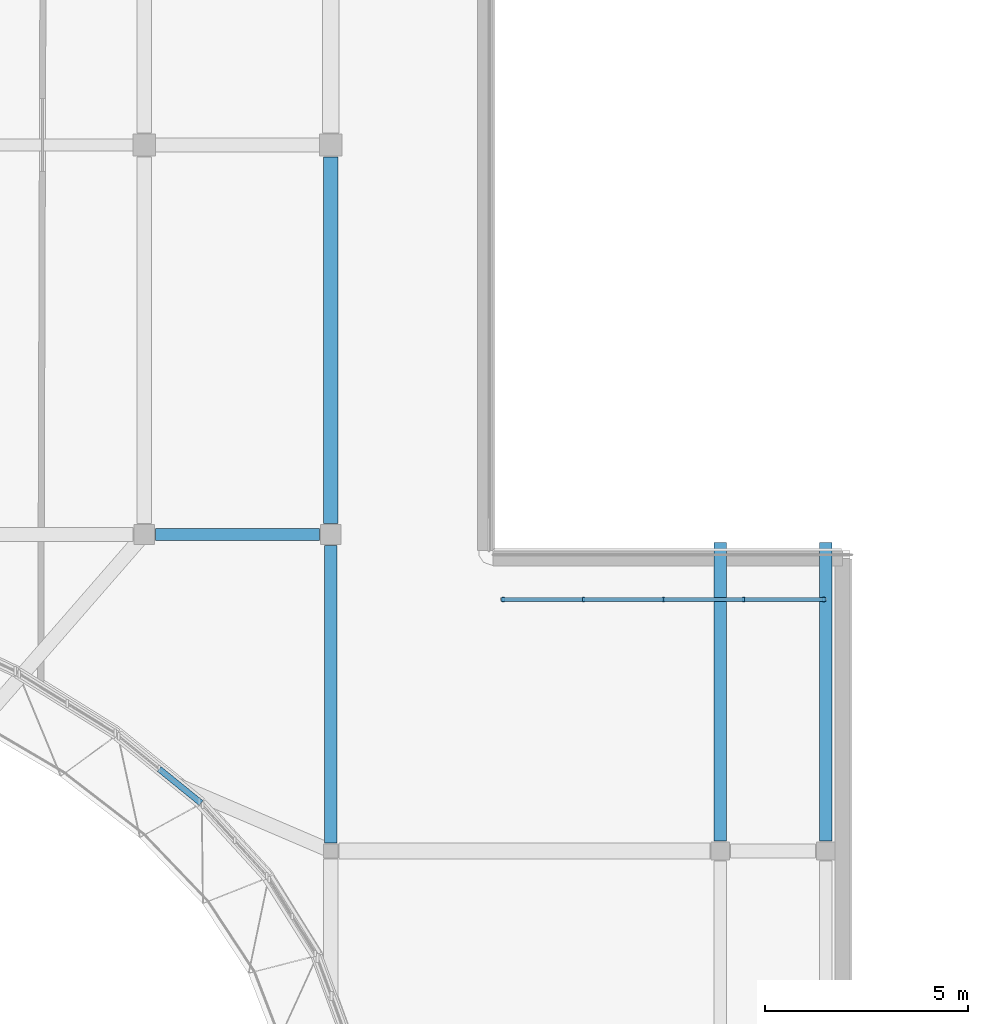
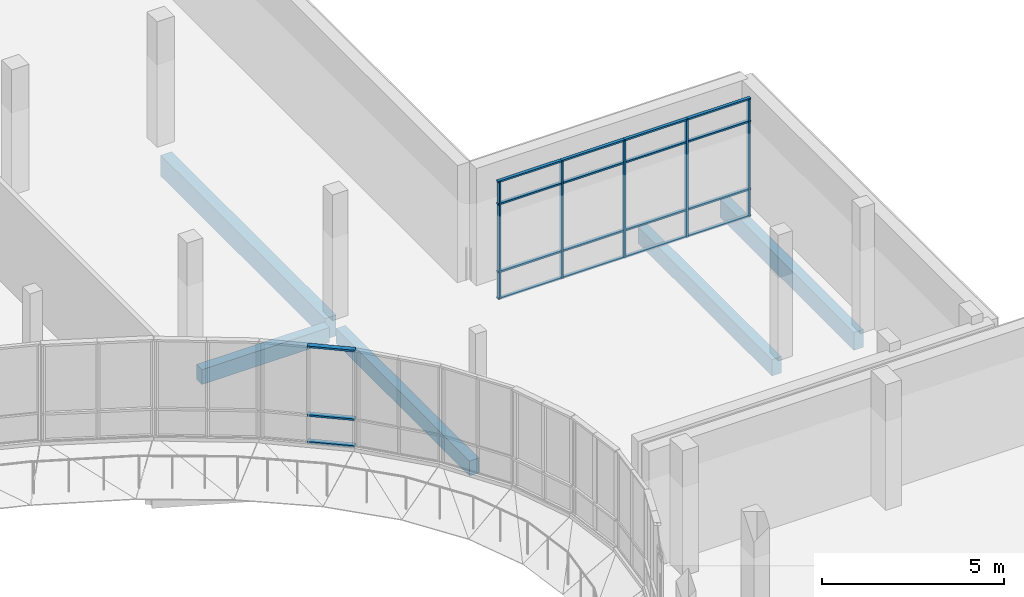
# One storey, part 27 of 84: 24 members, 5 beams, 2 elements without a shape of their own.
"""IFC4 building model written with IfcOpenShell, lengths in metres."""

from ifc_helpers import new_model, si_unit, direction, frame, origin, origin_2d, place, context, subcontext, project, spatial, rectangle, extrude, material, material_profile, profile_set, type_object, element, aggregate, save


model = new_model("IFC4")

# Units and contexts
model_context = context("Model", 3, precision=1e-05, world=origin(), true_north=direction((0.0, 1.0)))
body_context = subcontext(model_context, "Body", "Model", "MODEL_VIEW")
ifc_project = project(units=[si_unit("LENGTHUNIT", "METRE"), si_unit("AREAUNIT", "SQUARE_METRE"), si_unit("VOLUMEUNIT", "CUBIC_METRE"), si_unit("PLANEANGLEUNIT", "RADIAN"), si_unit("MASSUNIT", "GRAM", prefix="KILO")], contexts=[model_context])

# Site, building, storey
site_placement = place(None, origin())
site = spatial("IfcSite", under=ifc_project, at=site_placement, CompositionType="ELEMENT")
building_placement = place(site_placement, origin())
building = spatial("IfcBuilding", under=site, at=building_placement, Name="Mzevani Central Library", CompositionType="ELEMENT")
storey_placement = place(building_placement, frame((0.0, 0.0, 5.39990234375)))
storey = spatial("IfcBuildingStorey", under=building, at=storey_placement, Name="L01", CompositionType="ELEMENT", Elevation=5.39990234375)

# Beams
ifc_material_1 = material(Name="Concrete C35/45", Category="concrete")
ifc_material_profile_1 = material_profile(ifc_material_1, rectangle(XDim=0.300048828125, YDim=0.5, at=origin_2d()), Name="RC B300x500")
ifc_profile_set_1 = profile_set([ifc_material_profile_1], Name="Concrete C35/45")
beam_type_1 = type_object("IfcBeamType", Name="Beam RC 300x500", PredefinedType="BEAM", material=ifc_profile_set_1)
beam_1_placement = place(storey_placement, frame((107.675048828125, 90.39990234375, -0.52978515625), z_axis=(1.0, 0.0, 0.0), x_axis=(0.0, 1.0, 0.0)))
element("IfcBeam", 1, at=beam_1_placement, inside=storey, type_object=beam_type_1, Name="L01 V3 Girder B-01 (460)", PredefinedType="BEAM", context=body_context, shape_type="SweptSolid", body=[
    extrude(rectangle(XDim=0.300048828125, YDim=0.5, at=origin_2d()), origin(), (0.0, 0.0, 1.0), 4.050048828125),
])
beam_2_placement = place(storey_placement, frame((112.0, 82.800048828125, -0.52978515625), z_axis=(0.0, 1.0, 0.0), x_axis=(-1.0, 0.0, 0.0)))
element("IfcBeam", 2, at=beam_2_placement, inside=storey, type_object=beam_type_1, Name="L01 V3 Frame Beam B-01 (520)", PredefinedType="BEAM", context=body_context, shape_type="SweptSolid", body=[
    extrude(rectangle(XDim=0.300048828125, YDim=0.5, at=origin_2d()), origin(), (0.0, 0.0, 1.0), 7.324951171875),
])
ifc_material_profile_2 = material_profile(ifc_material_1, rectangle(XDim=0.300048828125, YDim=0.550048828125, at=origin_2d()), Name="RC B300x550")
ifc_profile_set_2 = profile_set([ifc_material_profile_2], Name="Concrete C35/45")
beam_type_2 = type_object("IfcBeamType", Name="Beam RC 300x550", PredefinedType="BEAM", material=ifc_profile_set_2)
beam_3_placement = place(storey_placement, frame((121.60009765625, 82.85009765625, -0.554931640625), z_axis=(0.0, 1.0, 0.0), x_axis=(-1.0, 0.0, 0.0)))
element("IfcBeam", 3, at=beam_3_placement, inside=storey, type_object=beam_type_2, Name="L01 V3 Frame Beam B-02 (525)", PredefinedType="BEAM", context=body_context, shape_type="SweptSolid", body=[
    extrude(rectangle(XDim=0.300048828125, YDim=0.550048828125, at=origin_2d()), origin(), (0.0, 0.0, 1.0), 7.349853515625),
])
ifc_material_profile_3 = material_profile(ifc_material_1, rectangle(XDim=0.300048828125, YDim=0.60009765625, at=origin_2d()), Name="RC B300x600")
ifc_profile_set_3 = profile_set([ifc_material_profile_3], Name="Concrete C35/45")
beam_type_3 = type_object("IfcBeamType", Name="Beam RC 300x600", PredefinedType="BEAM", material=ifc_profile_set_3)
beam_4_placement = place(storey_placement, frame((124.199951171875, 82.85009765625, -0.579833984375), z_axis=(0.0, 1.0, 0.0), x_axis=(-1.0, 0.0, 0.0)))
element("IfcBeam", 4, at=beam_4_placement, inside=storey, type_object=beam_type_3, Name="L01 V3 Frame Beam B-03 (530)", PredefinedType="BEAM", context=body_context, shape_type="SweptSolid", body=[
    extrude(rectangle(XDim=0.300048828125, YDim=0.60009765625, at=origin_2d()), origin(), (0.0, 0.0, 1.0), 7.349853515625),
])
ifc_material_profile_4 = material_profile(ifc_material_1, rectangle(XDim=0.35009765625, YDim=0.699951171875, at=origin_2d()), Name="RC B350x700")
ifc_profile_set_4 = profile_set([ifc_material_profile_4], Name="Concrete C35/45")
beam_type_4 = type_object("IfcBeamType", Name="Beam RC 350x700", PredefinedType="BEAM", material=ifc_profile_set_4)
beam_5_placement = place(storey_placement, frame((112.0, 90.675048828125, -0.6298828125), z_axis=(0.0, 1.0, 0.0), x_axis=(-1.0, 0.0, 0.0)))
element("IfcBeam", 5, at=beam_5_placement, inside=storey, type_object=beam_type_4, Name="L01 V3 Frame Beam B-06 (521)", PredefinedType="BEAM", context=body_context, shape_type="SweptSolid", body=[
    extrude(rectangle(XDim=0.35009765625, YDim=0.699951171875, at=origin_2d()), origin(), (0.0, 0.0, 1.0), 9.02490234375),
])

# Curtain wall, members
ifc_material_2 = material(Name="Thermally broken aluminium and Low-E triple glazing", Category="aluminium")
curtain_wall_type_1 = type_object("IfcCurtainWallType", Name="Interior Atrium Acoustic Glazed Screen", PredefinedType="NOTDEFINED", material=ifc_material_2)
curtain_wall_1_placement = place(storey_placement, origin())
curtain_wall_1 = element("IfcCurtainWall", 6, at=curtain_wall_1_placement, inside=storey, type_object=curtain_wall_type_1, Name="L01 Atrium Acoustic Overlook Screen 5", PredefinedType="NOTDEFINED")
ifc_material_3 = material(Name="Thermally broken aluminium AW-6060", Category="aluminium")
ifc_material_profile_5 = material_profile(ifc_material_3, rectangle(XDim=0.054931640625, YDim=0.1298828125, at=origin_2d()), Name="ALU M55x130")
ifc_profile_set_5 = profile_set([ifc_material_profile_5], Name="Thermally broken aluminium AW-6060")
member_type_1 = type_object("IfcMemberType", Name="CW Interior Mullion 55x130", PredefinedType="MULLION", material=ifc_profile_set_5)
member_1_placement = place(storey_placement, frame((116.25, 88.800048828125, 0.0), z_axis=(0.0, 0.0, 1.0), x_axis=(1.0, 0.0, 0.0)))
member_1 = element("IfcMember", 7, at=member_1_placement, type_object=member_type_1, Name="L01 Atrium Acoustic Overlook Screen 5 Mullion 1", PredefinedType="MULLION", context=body_context, shape_type="SweptSolid", body=[
    extrude(rectangle(XDim=0.054931640625, YDim=0.1298828125, at=origin_2d()), origin(), (0.0, 0.0, 1.0), 3.920166015625),
])
member_2_placement = place(storey_placement, frame((118.22509765625, 88.800048828125, 0.0), z_axis=(0.0, 0.0, 1.0), x_axis=(1.0, 0.0, 0.0)))
member_2 = element("IfcMember", 8, at=member_2_placement, type_object=member_type_1, Name="L01 Atrium Acoustic Overlook Screen 5 Mullion 2", PredefinedType="MULLION", context=body_context, shape_type="SweptSolid", body=[
    extrude(rectangle(XDim=0.054931640625, YDim=0.1298828125, at=origin_2d()), origin(), (0.0, 0.0, 1.0), 3.920166015625),
])
member_3_placement = place(storey_placement, frame((120.199951171875, 88.800048828125, 0.0), z_axis=(0.0, 0.0, 1.0), x_axis=(1.0, 0.0, 0.0)))
member_3 = element("IfcMember", 9, at=member_3_placement, type_object=member_type_1, Name="L01 Atrium Acoustic Overlook Screen 5 Mullion 3", PredefinedType="MULLION", context=body_context, shape_type="SweptSolid", body=[
    extrude(rectangle(XDim=0.054931640625, YDim=0.1298828125, at=origin_2d()), origin(), (0.0, 0.0, 1.0), 3.920166015625),
])
member_4_placement = place(storey_placement, frame((122.175048828125, 88.800048828125, 0.0), z_axis=(0.0, 0.0, 1.0), x_axis=(1.0, 0.0, 0.0)))
member_4 = element("IfcMember", 10, at=member_4_placement, type_object=member_type_1, Name="L01 Atrium Acoustic Overlook Screen 5 Mullion 4", PredefinedType="MULLION", context=body_context, shape_type="SweptSolid", body=[
    extrude(rectangle(XDim=0.054931640625, YDim=0.1298828125, at=origin_2d()), origin(), (0.0, 0.0, 1.0), 3.920166015625),
])
member_5_placement = place(storey_placement, frame((124.14990234375, 88.800048828125, 0.0), z_axis=(0.0, 0.0, 1.0), x_axis=(1.0, 0.0, 0.0)))
member_5 = element("IfcMember", 11, at=member_5_placement, type_object=member_type_1, Name="L01 Atrium Acoustic Overlook Screen 5 Mullion 5", PredefinedType="MULLION", context=body_context, shape_type="SweptSolid", body=[
    extrude(rectangle(XDim=0.054931640625, YDim=0.1298828125, at=origin_2d()), origin(), (0.0, 0.0, 1.0), 3.920166015625),
])
ifc_material_profile_6 = material_profile(ifc_material_3, rectangle(XDim=0.10009765625, YDim=0.054931640625, at=origin_2d()), Name="ALU T55x100")
ifc_profile_set_6 = profile_set([ifc_material_profile_6], Name="Thermally broken aluminium AW-6060")
member_type_2 = type_object("IfcMemberType", Name="CW Interior Transom 55x100", PredefinedType="USERDEFINED", material=ifc_profile_set_6)
member_6_placement = place(storey_placement, frame((116.199951171875, 88.800048828125, 0.0), z_axis=(1.0, 0.0, 0.0), x_axis=(0.0, 1.0, 0.0)))
member_6 = element("IfcMember", 12, at=member_6_placement, type_object=member_type_2, Name="L01 Atrium Acoustic Overlook Screen 5 Transom 1", ObjectType="TRANSOM", PredefinedType="USERDEFINED", context=body_context, shape_type="SweptSolid", body=[
    extrude(rectangle(XDim=0.10009765625, YDim=0.054931640625, at=origin_2d()), origin(), (0.0, 0.0, 1.0), 2.0),
])
member_7_placement = place(storey_placement, frame((116.199951171875, 88.800048828125, 0.900146484375), z_axis=(1.0, 0.0, 0.0), x_axis=(0.0, 1.0, 0.0)))
member_7 = element("IfcMember", 13, at=member_7_placement, type_object=member_type_2, Name="L01 Atrium Acoustic Overlook Screen 5 Transom 2", ObjectType="TRANSOM", PredefinedType="USERDEFINED", context=body_context, shape_type="SweptSolid", body=[
    extrude(rectangle(XDim=0.10009765625, YDim=0.054931640625, at=origin_2d()), origin(), (0.0, 0.0, 1.0), 2.0),
])
member_8_placement = place(storey_placement, frame((116.199951171875, 88.800048828125, 3.170166015625), z_axis=(1.0, 0.0, 0.0), x_axis=(0.0, 1.0, 0.0)))
member_8 = element("IfcMember", 14, at=member_8_placement, type_object=member_type_2, Name="L01 Atrium Acoustic Overlook Screen 5 Transom 3", ObjectType="TRANSOM", PredefinedType="USERDEFINED", context=body_context, shape_type="SweptSolid", body=[
    extrude(rectangle(XDim=0.10009765625, YDim=0.054931640625, at=origin_2d()), origin(), (0.0, 0.0, 1.0), 2.0),
])
member_9_placement = place(storey_placement, frame((116.199951171875, 88.800048828125, 3.920166015625), z_axis=(1.0, 0.0, 0.0), x_axis=(0.0, 1.0, 0.0)))
member_9 = element("IfcMember", 15, at=member_9_placement, type_object=member_type_2, Name="L01 Atrium Acoustic Overlook Screen 5 Transom 4", ObjectType="TRANSOM", PredefinedType="USERDEFINED", context=body_context, shape_type="SweptSolid", body=[
    extrude(rectangle(XDim=0.10009765625, YDim=0.054931640625, at=origin_2d()), origin(), (0.0, 0.0, 1.0), 2.0),
])
member_10_placement = place(storey_placement, frame((118.199951171875, 88.800048828125, 0.0), z_axis=(1.0, 0.0, 0.0), x_axis=(0.0, 1.0, 0.0)))
member_10 = element("IfcMember", 16, at=member_10_placement, type_object=member_type_2, Name="L01 Atrium Acoustic Overlook Screen 5 Transom 5", ObjectType="TRANSOM", PredefinedType="USERDEFINED", context=body_context, shape_type="SweptSolid", body=[
    extrude(rectangle(XDim=0.10009765625, YDim=0.054931640625, at=origin_2d()), origin(), (0.0, 0.0, 1.0), 2.0),
])
member_11_placement = place(storey_placement, frame((118.199951171875, 88.800048828125, 0.900146484375), z_axis=(1.0, 0.0, 0.0), x_axis=(0.0, 1.0, 0.0)))
member_11 = element("IfcMember", 17, at=member_11_placement, type_object=member_type_2, Name="L01 Atrium Acoustic Overlook Screen 5 Transom 6", ObjectType="TRANSOM", PredefinedType="USERDEFINED", context=body_context, shape_type="SweptSolid", body=[
    extrude(rectangle(XDim=0.10009765625, YDim=0.054931640625, at=origin_2d()), origin(), (0.0, 0.0, 1.0), 2.0),
])
member_12_placement = place(storey_placement, frame((118.199951171875, 88.800048828125, 3.170166015625), z_axis=(1.0, 0.0, 0.0), x_axis=(0.0, 1.0, 0.0)))
member_12 = element("IfcMember", 18, at=member_12_placement, type_object=member_type_2, Name="L01 Atrium Acoustic Overlook Screen 5 Transom 7", ObjectType="TRANSOM", PredefinedType="USERDEFINED", context=body_context, shape_type="SweptSolid", body=[
    extrude(rectangle(XDim=0.10009765625, YDim=0.054931640625, at=origin_2d()), origin(), (0.0, 0.0, 1.0), 2.0),
])
member_13_placement = place(storey_placement, frame((118.199951171875, 88.800048828125, 3.920166015625), z_axis=(1.0, 0.0, 0.0), x_axis=(0.0, 1.0, 0.0)))
member_13 = element("IfcMember", 19, at=member_13_placement, type_object=member_type_2, Name="L01 Atrium Acoustic Overlook Screen 5 Transom 8", ObjectType="TRANSOM", PredefinedType="USERDEFINED", context=body_context, shape_type="SweptSolid", body=[
    extrude(rectangle(XDim=0.10009765625, YDim=0.054931640625, at=origin_2d()), origin(), (0.0, 0.0, 1.0), 2.0),
])
member_14_placement = place(storey_placement, frame((120.199951171875, 88.800048828125, 0.0), z_axis=(1.0, 0.0, 0.0), x_axis=(0.0, 1.0, 0.0)))
member_14 = element("IfcMember", 20, at=member_14_placement, type_object=member_type_2, Name="L01 Atrium Acoustic Overlook Screen 5 Transom 9", ObjectType="TRANSOM", PredefinedType="USERDEFINED", context=body_context, shape_type="SweptSolid", body=[
    extrude(rectangle(XDim=0.10009765625, YDim=0.054931640625, at=origin_2d()), origin(), (0.0, 0.0, 1.0), 2.0),
])
member_15_placement = place(storey_placement, frame((120.199951171875, 88.800048828125, 0.900146484375), z_axis=(1.0, 0.0, 0.0), x_axis=(0.0, 1.0, 0.0)))
member_15 = element("IfcMember", 21, at=member_15_placement, type_object=member_type_2, Name="L01 Atrium Acoustic Overlook Screen 5 Transom 10", ObjectType="TRANSOM", PredefinedType="USERDEFINED", context=body_context, shape_type="SweptSolid", body=[
    extrude(rectangle(XDim=0.10009765625, YDim=0.054931640625, at=origin_2d()), origin(), (0.0, 0.0, 1.0), 2.0),
])
member_16_placement = place(storey_placement, frame((120.199951171875, 88.800048828125, 3.170166015625), z_axis=(1.0, 0.0, 0.0), x_axis=(0.0, 1.0, 0.0)))
member_16 = element("IfcMember", 22, at=member_16_placement, type_object=member_type_2, Name="L01 Atrium Acoustic Overlook Screen 5 Transom 11", ObjectType="TRANSOM", PredefinedType="USERDEFINED", context=body_context, shape_type="SweptSolid", body=[
    extrude(rectangle(XDim=0.10009765625, YDim=0.054931640625, at=origin_2d()), origin(), (0.0, 0.0, 1.0), 2.0),
])
member_17_placement = place(storey_placement, frame((120.199951171875, 88.800048828125, 3.920166015625), z_axis=(1.0, 0.0, 0.0), x_axis=(0.0, 1.0, 0.0)))
member_17 = element("IfcMember", 23, at=member_17_placement, type_object=member_type_2, Name="L01 Atrium Acoustic Overlook Screen 5 Transom 12", ObjectType="TRANSOM", PredefinedType="USERDEFINED", context=body_context, shape_type="SweptSolid", body=[
    extrude(rectangle(XDim=0.10009765625, YDim=0.054931640625, at=origin_2d()), origin(), (0.0, 0.0, 1.0), 2.0),
])
member_18_placement = place(storey_placement, frame((122.199951171875, 88.800048828125, 0.0), z_axis=(1.0, 0.0, 0.0), x_axis=(0.0, 1.0, 0.0)))
member_18 = element("IfcMember", 24, at=member_18_placement, type_object=member_type_2, Name="L01 Atrium Acoustic Overlook Screen 5 Transom 13", ObjectType="TRANSOM", PredefinedType="USERDEFINED", context=body_context, shape_type="SweptSolid", body=[
    extrude(rectangle(XDim=0.10009765625, YDim=0.054931640625, at=origin_2d()), origin(), (0.0, 0.0, 1.0), 2.0),
])
member_19_placement = place(storey_placement, frame((122.199951171875, 88.800048828125, 0.900146484375), z_axis=(1.0, 0.0, 0.0), x_axis=(0.0, 1.0, 0.0)))
member_19 = element("IfcMember", 25, at=member_19_placement, type_object=member_type_2, Name="L01 Atrium Acoustic Overlook Screen 5 Transom 14", ObjectType="TRANSOM", PredefinedType="USERDEFINED", context=body_context, shape_type="SweptSolid", body=[
    extrude(rectangle(XDim=0.10009765625, YDim=0.054931640625, at=origin_2d()), origin(), (0.0, 0.0, 1.0), 2.0),
])
member_20_placement = place(storey_placement, frame((122.199951171875, 88.800048828125, 3.170166015625), z_axis=(1.0, 0.0, 0.0), x_axis=(0.0, 1.0, 0.0)))
member_20 = element("IfcMember", 26, at=member_20_placement, type_object=member_type_2, Name="L01 Atrium Acoustic Overlook Screen 5 Transom 15", ObjectType="TRANSOM", PredefinedType="USERDEFINED", context=body_context, shape_type="SweptSolid", body=[
    extrude(rectangle(XDim=0.10009765625, YDim=0.054931640625, at=origin_2d()), origin(), (0.0, 0.0, 1.0), 2.0),
])
member_21_placement = place(storey_placement, frame((122.199951171875, 88.800048828125, 3.920166015625), z_axis=(1.0, 0.0, 0.0), x_axis=(0.0, 1.0, 0.0)))
member_21 = element("IfcMember", 27, at=member_21_placement, type_object=member_type_2, Name="L01 Atrium Acoustic Overlook Screen 5 Transom 16", ObjectType="TRANSOM", PredefinedType="USERDEFINED", context=body_context, shape_type="SweptSolid", body=[
    extrude(rectangle(XDim=0.10009765625, YDim=0.054931640625, at=origin_2d()), origin(), (0.0, 0.0, 1.0), 2.0),
])
aggregate(curtain_wall_1, [member_1, member_2, member_3, member_4, member_5, member_6, member_7, member_8, member_9, member_10, member_11, member_12, member_13, member_14, member_15, member_16, member_17, member_18, member_19, member_20, member_21])

curtain_wall_type_2 = type_object("IfcCurtainWallType", Name="Elliptical Court Unitised Curtain Wall", PredefinedType="NOTDEFINED", material=ifc_material_2)
curtain_wall_2_placement = place(storey_placement, origin())
curtain_wall_2 = element("IfcCurtainWall", 28, at=curtain_wall_2_placement, inside=storey, type_object=curtain_wall_type_2, Name="L01 Elliptical Court Curtain Wall 5", PredefinedType="NOTDEFINED")
ifc_material_profile_7 = material_profile(ifc_material_3, rectangle(XDim=0.14990234375, YDim=0.06005859375, at=origin_2d()), Name="ALU T60x150")
ifc_profile_set_7 = profile_set([ifc_material_profile_7], Name="Thermally broken aluminium AW-6060")
member_type_3 = type_object("IfcMemberType", Name="CW Transom 60x150", PredefinedType="USERDEFINED", material=ifc_profile_set_7)
member_22_placement = place(storey_placement, frame((108.802001953125, 83.78125, 0.72021484375), z_axis=(-0.776243179452, 0.63043360186, 0.0), x_axis=(-0.63043360186, -0.776243179452, 0.0)))
member_22 = element("IfcMember", 29, at=member_22_placement, type_object=member_type_3, Name="L01 Elliptical Court Curtain Wall 5 Transom 1", ObjectType="TRANSOM", PredefinedType="USERDEFINED", context=body_context, shape_type="SweptSolid", body=[
    extrude(rectangle(XDim=0.14990234375, YDim=0.06005859375, at=origin_2d()), origin(), (0.0, 0.0, 1.0), 1.329345703125),
])
member_23_placement = place(storey_placement, frame((108.802001953125, 83.78125, 1.6201171875), z_axis=(-0.776243179452, 0.63043360186, 0.0), x_axis=(-0.63043360186, -0.776243179452, 0.0)))
member_23 = element("IfcMember", 30, at=member_23_placement, type_object=member_type_3, Name="L01 Elliptical Court Curtain Wall 5 Transom 2", ObjectType="TRANSOM", PredefinedType="USERDEFINED", context=body_context, shape_type="SweptSolid", body=[
    extrude(rectangle(XDim=0.14990234375, YDim=0.06005859375, at=origin_2d()), origin(), (0.0, 0.0, 1.0), 1.329345703125),
])
member_24_placement = place(storey_placement, frame((108.802001953125, 83.78125, 3.920166015625), z_axis=(-0.776243179452, 0.63043360186, 0.0), x_axis=(-0.63043360186, -0.776243179452, 0.0)))
member_24 = element("IfcMember", 31, at=member_24_placement, type_object=member_type_3, Name="L01 Elliptical Court Curtain Wall 5 Transom 3", ObjectType="TRANSOM", PredefinedType="USERDEFINED", context=body_context, shape_type="SweptSolid", body=[
    extrude(rectangle(XDim=0.14990234375, YDim=0.06005859375, at=origin_2d()), origin(), (0.0, 0.0, 1.0), 1.329345703125),
])
aggregate(curtain_wall_2, [member_22, member_23, member_24])

save(model, "model.ifc")
